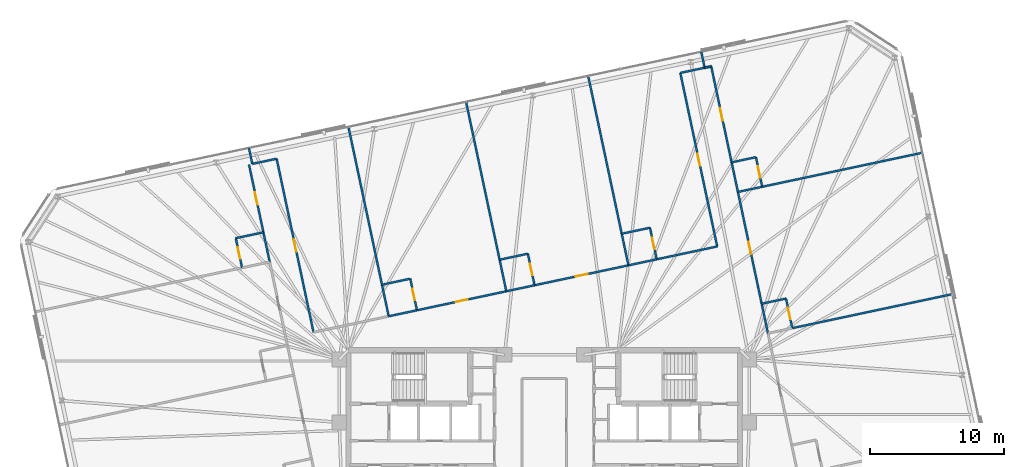
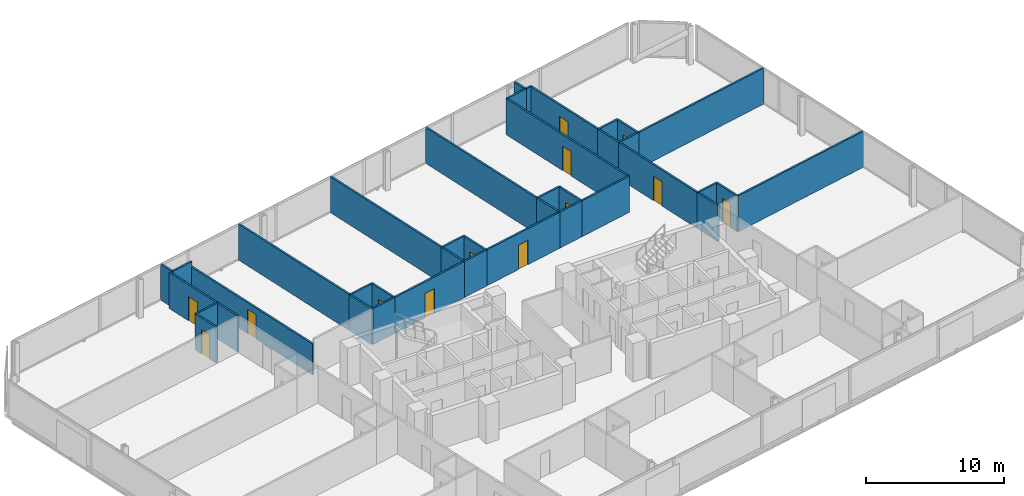
# One storey, part 17 of 19: 40 walls, 13 doors, 13 openings.
"""IFC4 building model written with IfcOpenShell, lengths in metres."""

import ifcopenshell
import ifcopenshell.guid

model = None  # the IFC model being written
_history = None  # IfcOwnerHistory: only IFC2X3 demands one
_inside = {}  # id of a spatial element -> (the spatial element, [elements in it])
_under = {}  # id of a project, library or spatial element -> (it, [spatial elements below it])
_declared = {}  # id of a project -> (the project, [libraries it declares])
_typed = {}  # id of a type object -> (the type object, [elements of that type])
_made_of = {}  # id of a material, layer set ... -> (it, [elements and type objects made of it])


def new_model(schema):
    """Start an empty IFC model of exactly this schema.

    Asked for "IFC4X3", IfcOpenShell would pick the latest addendum, in which some entities
    have other attributes; the version numbers below select the first issue.
    IFC2X3 requires an IfcOwnerHistory on every rooted entity: one is made here for all.
    """
    global model, _history
    if schema == "IFC4X3":
        model = ifcopenshell.file(schema_version=(4, 3, 0, 0))
    else:
        model = ifcopenshell.file(schema=schema)
    _inside.clear()
    _under.clear()
    _declared.clear()
    _typed.clear()
    _made_of.clear()
    _history = None
    if model.schema == "IFC2X3":
        org = make("IfcOrganization", Name="unknown")
        user = make(
            "IfcPersonAndOrganization",
            ThePerson=make("IfcPerson", FamilyName="unknown"),
            TheOrganization=org,
        )
        app = make(
            "IfcApplication",
            ApplicationDeveloper=org,
            Version="unknown",
            ApplicationFullName="unknown",
            ApplicationIdentifier="unknown",
        )
        _history = make(
            "IfcOwnerHistory",
            OwningUser=user,
            OwningApplication=app,
            ChangeAction="ADDED",
            CreationDate=0,
        )
    return model


def make(cls, **values):
    """One entity of the class cls with the attributes given. An attribute that is None is left unset."""
    return model.create_entity(
        cls, **{name: value for name, value in values.items() if value is not None}
    )


def rooted(cls, **values):
    """An entity with a GlobalId (a new one), such as an element, a storey or a relation."""
    return make(cls, GlobalId=ifcopenshell.guid.new(), OwnerHistory=_history, **values)


def si_unit(unit_type, name, prefix=None):
    """IfcSIUnit, for example si_unit("LENGTHUNIT", "METRE", prefix="MILLI")."""
    return make("IfcSIUnit", UnitType=unit_type, Prefix=prefix, Name=name)


def assignment(units):
    """IfcUnitAssignment: the units of a project."""
    return None if units is None else make("IfcUnitAssignment", Units=units)


def point(xyz):
    """IfcCartesianPoint."""
    return None if xyz is None else make("IfcCartesianPoint", Coordinates=xyz)


def direction(xyz):
    """IfcDirection."""
    return None if xyz is None else make("IfcDirection", DirectionRatios=xyz)


def frame(location, z_axis=None, x_axis=None):
    """IfcAxis2Placement3D, a coordinate frame: its origin and axes. An axis left out is left unset."""
    return make(
        "IfcAxis2Placement3D",
        Location=point(location),
        Axis=direction(z_axis),
        RefDirection=direction(x_axis),
    )


def frame_2d(location, x_axis=None):
    """IfcAxis2Placement2D, a coordinate frame in the plane: its origin and x axis."""
    return make(
        "IfcAxis2Placement2D", Location=point(location), RefDirection=direction(x_axis)
    )


def origin():
    """The frame at (0, 0, 0) with its axes left unset."""
    return frame((0.0, 0.0, 0.0))


def place(relative_to, where):
    """IfcLocalPlacement: puts the frame where relative to a parent placement (None: the world)."""
    return make(
        "IfcLocalPlacement", PlacementRelTo=relative_to, RelativePlacement=where
    )


def context(
    kind, dimensions, precision=None, world=None, true_north=None, identifier=None
):
    """IfcGeometricRepresentationContext, for example the 3D "Model" context."""
    return make(
        "IfcGeometricRepresentationContext",
        ContextIdentifier=identifier,
        ContextType=kind,
        CoordinateSpaceDimension=dimensions,
        Precision=precision,
        WorldCoordinateSystem=world,
        TrueNorth=true_north,
    )


def subcontext(parent, identifier, kind, view, scale=None):
    """IfcGeometricRepresentationSubContext, for example "Body" below "Model"."""
    return make(
        "IfcGeometricRepresentationSubContext",
        ContextIdentifier=identifier,
        ContextType=kind,
        ParentContext=parent,
        TargetScale=scale,
        TargetView=view,
    )


def project(units=None, contexts=None):
    """IfcProject with its units and contexts."""
    return rooted(
        "IfcProject",
        Name="project",
        RepresentationContexts=contexts,
        UnitsInContext=assignment(units),
    )


def spatial(cls, under=None, at=None, **own):
    """A site, building, storey or space (cls), placed at a placement, below another one or the project."""
    s = rooted(cls, ObjectPlacement=at, **own)
    if under is not None:
        _under.setdefault(under.id(), (under, []))[1].append(s)
    return s


def profile(cls, at=None, kind="AREA", **sizes):
    """A parametric profile (cls). Its sizes go by their IFC names, for example OverallWidth=200.0."""
    return make(cls, ProfileType=kind, Position=at, **sizes)


def rectangle(**sizes):
    """IfcRectangleProfileDef."""
    return profile("IfcRectangleProfileDef", **sizes)


def extrude(swept, where, along, depth):
    """IfcExtrudedAreaSolid: the profile swept, set in the frame where, extruded along a direction by depth."""
    return make(
        "IfcExtrudedAreaSolid",
        SweptArea=swept,
        Position=where,
        ExtrudedDirection=direction(along),
        Depth=depth,
    )


def shape(context_of_items, identifier, shape_type, items):
    """IfcShapeRepresentation: the items that make up one representation, for example the "Body"."""
    return make(
        "IfcShapeRepresentation",
        ContextOfItems=context_of_items,
        RepresentationIdentifier=identifier,
        RepresentationType=shape_type,
        Items=items,
    )


def material(Name=None, Category=None):
    """IfcMaterial."""
    return make("IfcMaterial", Name=Name, Category=Category)


def layer(
    of_material, thickness, ventilated=None, Name=None, Category=None, Priority=None
):
    """IfcMaterialLayer: one layer of a wall or slab, of a material (None: an air gap)."""
    return make(
        "IfcMaterialLayer",
        Material=of_material,
        LayerThickness=thickness,
        IsVentilated=ventilated,
        Name=Name,
        Category=Category,
        Priority=Priority,
    )


def layer_set(layers, Name=None):
    """IfcMaterialLayerSet."""
    return make("IfcMaterialLayerSet", MaterialLayers=layers, LayerSetName=Name)


def made_of(thing, what):
    """Note that an element or type object is made of a material, layer set ...; save() writes the relation."""
    if what is not None:
        _made_of.setdefault(what.id(), (what, []))[1].append(thing)
    return thing


def type_object(cls, material=None, **own):
    """A type object (cls), such as IfcWallType, which elements share."""
    return made_of(rooted(cls, **own), material)


def element(
    cls,
    number,
    at=None,
    inside=None,
    cuts=None,
    type_object=None,
    material=None,
    context=None,
    identifier="Body",
    shape_type=None,
    held_by="IfcProductDefinitionShape",
    body=None,
    shapes=None,
    **own,
):
    """One element of the class cls, such as IfcWall. Its Tag is "e" and its number.

    at: its placement. inside: the storey or other place that contains it. cuts: it is an
    opening in that element (IfcRelVoidsElement). A single representation is given by context,
    identifier, shape_type and body (its items); several are given by shapes. held_by: the class
    of the entity that holds the representations. save() writes the other relations.
    """
    e = rooted(cls, Tag="e%d" % number, ObjectPlacement=at, **own)
    if body is not None:
        shapes = [shape(context, identifier, shape_type, body)]
    if shapes is not None:
        e.Representation = make(held_by, Representations=shapes)
    if inside is not None:
        _inside.setdefault(inside.id(), (inside, []))[1].append(e)
    if cuts is not None:
        rooted(
            "IfcRelVoidsElement", RelatingBuildingElement=cuts, RelatedOpeningElement=e
        )
    if type_object is not None:
        _typed.setdefault(type_object.id(), (type_object, []))[1].append(e)
    return made_of(e, material)


def fill(opening, filler):
    """IfcRelFillsElement: the door or window that sits in an opening."""
    return rooted(
        "IfcRelFillsElement",
        RelatingOpeningElement=opening,
        RelatedBuildingElement=filler,
    )


def aggregate(whole, parts):
    """IfcRelAggregates: a whole, such as a stair, and the parts it consists of."""
    return rooted("IfcRelAggregates", RelatingObject=whole, RelatedObjects=parts)


def save(model, path):
    """Write the relations noted so far, then the file.

    IfcRelAggregates (storeys below a building ...), IfcRelContainedInSpatialStructure (elements
    in a storey), IfcRelDefinesByType, IfcRelAssociatesMaterial and IfcRelDeclares: one each for
    every whole, place, type object, material and project.
    """
    for whole, parts in _under.values():
        aggregate(whole, parts)
    for where, things in _inside.values():
        rooted(
            "IfcRelContainedInSpatialStructure",
            RelatedElements=things,
            RelatingStructure=where,
        )
    for kind, things in _typed.values():
        rooted("IfcRelDefinesByType", RelatedObjects=things, RelatingType=kind)
    for what, things in _made_of.values():
        rooted("IfcRelAssociatesMaterial", RelatedObjects=things, RelatingMaterial=what)
    for by, libraries in _declared.values():
        rooted("IfcRelDeclares", RelatingContext=by, RelatedDefinitions=libraries)
    model.write(path)


model = new_model("IFC4")

# Units and contexts
model_context = context("Model", 3, precision=1e-05, world=origin(), true_north=direction((0.0, 1.0)))
body_context = subcontext(model_context, "Body", "Model", "MODEL_VIEW")
ifc_project = project(units=[si_unit("LENGTHUNIT", "METRE"), si_unit("AREAUNIT", "SQUARE_METRE"), si_unit("VOLUMEUNIT", "CUBIC_METRE"), si_unit("PLANEANGLEUNIT", "RADIAN"), si_unit("MASSUNIT", "GRAM", prefix="KILO")], contexts=[model_context])

# Site, building, storey
site_placement = place(None, origin())
site = spatial("IfcSite", under=ifc_project, at=site_placement, CompositionType="ELEMENT")
building_placement = place(site_placement, origin())
building = spatial("IfcBuilding", under=site, at=building_placement, Name="Menara Jurai Vektor", CompositionType="ELEMENT")
storey_placement = place(building_placement, frame((0.0, 0.0, 161.60009765625)))
storey = spatial("IfcBuildingStorey", under=building, at=storey_placement, Name="L41", CompositionType="ELEMENT", Elevation=161.60009765625)

# Wall
ifc_material_1 = material(Name="Gypsum Fireboard Partition", Category="gypsum")
ifc_layer_1 = layer(ifc_material_1, 0.14990234375)
ifc_layer_set_1 = layer_set([ifc_layer_1], Name="Gypsum Fireboard Partition")
wall_type_1 = type_object("IfcWallType", Name="INT-WALL-CORR-150", PredefinedType="PARTITIONING", material=ifc_layer_set_1)
wall_1_placement = place(storey_placement, frame((-21.71533203125, 19.447998046875, 0.0), z_axis=(0.0, 0.0, 1.0), x_axis=(0.978160192495, 0.207852442415, 0.0)))
element("IfcWall", 1, at=wall_1_placement, inside=storey, type_object=wall_type_1, Name="Interior Wall IW-150 L41", PredefinedType="PARTITIONING", context=body_context, shape_type="SweptSolid", body=[
    extrude(rectangle(XDim=1.849853515625, YDim=0.14990234375, at=frame_2d((0.9248046875, 0.0))), origin(), (0.0, 0.0, 1.0), 3.1748046875),
])

# Wall, opening, door
wall_2_placement = place(storey_placement, frame((-9.46728515625, 8.5615234375, 0.0), z_axis=(0.0, 0.0, 1.0), x_axis=(0.978147157672, 0.207913775247, 0.0)))
wall_2 = element("IfcWall", 2, at=wall_2_placement, inside=storey, type_object=wall_type_1, Name="Interior Wall IW-150 L41", PredefinedType="PARTITIONING", context=body_context, shape_type="SweptSolid", body=[
    extrude(rectangle(XDim=6.79296875, YDim=0.14990234375, at=frame_2d((3.396484375, 0.0))), origin(), (0.0, 0.0, 1.0), 3.1748046875),
])
opening_1_placement = place(wall_2_placement, frame((2.9365234375, 0.0, 0.0)))
opening_1 = element("IfcOpeningElement", 3, at=opening_1_placement, cuts=wall_2, Name="Opening D41-10", PredefinedType="OPENING", context=body_context, shape_type="SweptSolid", body=[
    extrude(rectangle(XDim=0.919921875, YDim=2.14990234375, at=frame_2d((0.4599609375, 1.074951171875))), frame((0.0, 0.0849609375, 0.0), z_axis=(0.0, -1.0, 0.0), x_axis=(1.0, 0.0, 0.0)), (0.0, 0.0, 1.0), 0.169921875),
])
ifc_material_2 = material(Name="Solid Core Timber Fire Door", Category="wood")
door_type_1 = type_object("IfcDoorType", Name="DR-ENTRY-950", OperationType="NOTDEFINED", PredefinedType="DOOR", material=ifc_material_2)
door_1_placement = place(opening_1_placement, origin())
door_1 = element("IfcDoor", 4, at=door_1_placement, inside=storey, type_object=door_type_1, Name="Interior Door D41-10", OperationType="SINGLE_SWING_LEFT", OverallHeight=2.14990234375, OverallWidth=0.919921875, PredefinedType="DOOR", context=body_context, shape_type="SweptSolid", body=[
    extrude(rectangle(XDim=0.919921875, YDim=2.14990234375, at=frame_2d((0.4599609375, 1.074951171875))), frame((0.0, 0.02490234375, 0.0), z_axis=(0.0, -1.0, 0.0), x_axis=(1.0, 0.0, 0.0)), (0.0, 0.0, 1.0), 0.050048828125),
])
fill(opening_1, door_1)

# Wall
wall_3_placement = place(storey_placement, frame((-11.5703125, 8.114501953125, 0.0), z_axis=(0.0, 0.0, 1.0), x_axis=(0.978146728319, 0.207915795165, 0.0)))
element("IfcWall", 5, at=wall_3_placement, inside=storey, type_object=wall_type_1, Name="Interior Wall IW-150 L41", PredefinedType="PARTITIONING", context=body_context, shape_type="SweptSolid", body=[
    extrude(rectangle(XDim=2.14990234375, YDim=0.14990234375, at=frame_2d((1.074951171875, 0.0))), origin(), (0.0, 0.0, 1.0), 3.1748046875),
])

# Wall, opening, door
wall_4_placement = place(storey_placement, frame((-0.7197265625, 10.4208984375, 0.0), z_axis=(0.0, 0.0, 1.0), x_axis=(0.978147545754, 0.207911949477, 0.0)))
wall_4 = element("IfcWall", 6, at=wall_4_placement, inside=storey, type_object=wall_type_1, Name="Interior Wall IW-150 L41", PredefinedType="PARTITIONING", context=body_context, shape_type="SweptSolid", body=[
    extrude(rectangle(XDim=7.135986328125, YDim=0.14990234375, at=frame_2d((3.56787109375, 0.0))), origin(), (0.0, 0.0, 1.0), 3.1748046875),
])
opening_2_placement = place(wall_4_placement, frame((3.10791015625, 0.0, 0.0)))
opening_2 = element("IfcOpeningElement", 7, at=opening_2_placement, cuts=wall_4, Name="Opening D41-12", PredefinedType="OPENING", context=body_context, shape_type="SweptSolid", body=[
    extrude(rectangle(XDim=0.919921875, YDim=2.14990234375, at=frame_2d((0.4599609375, 1.074951171875))), frame((0.0, 0.0849609375, 0.0), z_axis=(0.0, -1.0, 0.0), x_axis=(1.0, 0.0, 0.0)), (0.0, 0.0, 1.0), 0.169921875),
])
door_2_placement = place(opening_2_placement, origin())
door_2 = element("IfcDoor", 8, at=door_2_placement, inside=storey, type_object=door_type_1, Name="Interior Door D41-12", OperationType="SINGLE_SWING_LEFT", OverallHeight=2.14990234375, OverallWidth=0.919921875, PredefinedType="DOOR", context=body_context, shape_type="SweptSolid", body=[
    extrude(rectangle(XDim=0.919921875, YDim=2.14990234375, at=frame_2d((0.4599609375, 1.074951171875))), frame((0.0, 0.02490234375, 0.0), z_axis=(0.0, -1.0, 0.0), x_axis=(1.0, 0.0, 0.0)), (0.0, 0.0, 1.0), 0.050048828125),
])
fill(opening_2, door_2)

# Walls
wall_5_placement = place(storey_placement, frame((-2.82275390625, 9.973876953125, 0.0), z_axis=(0.0, 0.0, 1.0), x_axis=(0.978146728319, 0.207915795165, 0.0)))
element("IfcWall", 9, at=wall_5_placement, inside=storey, type_object=wall_type_1, Name="Interior Wall IW-150 L41", PredefinedType="PARTITIONING", context=body_context, shape_type="SweptSolid", body=[
    extrude(rectangle(XDim=2.14990234375, YDim=0.14990234375, at=frame_2d((1.074951171875, 0.0))), origin(), (0.0, 0.0, 1.0), 3.1748046875),
])
wall_6_placement = place(storey_placement, frame((8.36328125, 12.3515625, 0.0), z_axis=(0.0, 0.0, 1.0), x_axis=(0.978153723809, 0.20788288193, 0.0)))
element("IfcWall", 10, at=wall_6_placement, inside=storey, type_object=wall_type_1, Name="Interior Wall IW-150 L41", PredefinedType="PARTITIONING", context=body_context, shape_type="SweptSolid", body=[
    extrude(rectangle(XDim=4.59912109375, YDim=0.14990234375, at=frame_2d((2.299560546875, 0.0))), origin(), (0.0, 0.0, 1.0), 3.1748046875),
])

# Wall, opening, door
wall_7_placement = place(storey_placement, frame((12.86181640625, 13.3076171875, 0.0), z_axis=(0.0, 0.0, 1.0), x_axis=(-0.207911421929, 0.978147657888, 0.0)))
wall_7 = element("IfcWall", 11, at=wall_7_placement, inside=storey, type_object=wall_type_1, Name="Interior Wall IW-150 L41", PredefinedType="PARTITIONING", context=body_context, shape_type="SweptSolid", body=[
    extrude(rectangle(XDim=13.195068359375, YDim=0.14990234375, at=frame_2d((6.59765625, 0.0))), origin(), (0.0, 0.0, 1.0), 3.1748046875),
])
opening_3_placement = place(wall_7_placement, frame((6.137451171875, 0.0, 0.0)))
opening_3 = element("IfcOpeningElement", 12, at=opening_3_placement, cuts=wall_7, Name="Opening D41-14", PredefinedType="OPENING", context=body_context, shape_type="SweptSolid", body=[
    extrude(rectangle(XDim=0.919921875, YDim=2.14990234375, at=frame_2d((0.4599609375, 1.074951171875))), frame((0.0, 0.0849609375, 0.0), z_axis=(0.0, -1.0, 0.0), x_axis=(1.0, 0.0, 0.0)), (0.0, 0.0, 1.0), 0.169921875),
])
door_3_placement = place(opening_3_placement, origin())
door_3 = element("IfcDoor", 13, at=door_3_placement, inside=storey, type_object=door_type_1, Name="Interior Door D41-14", OperationType="SINGLE_SWING_LEFT", OverallHeight=2.14990234375, OverallWidth=0.919921875, PredefinedType="DOOR", context=body_context, shape_type="SweptSolid", body=[
    extrude(rectangle(XDim=0.919921875, YDim=2.14990234375, at=frame_2d((0.4599609375, 1.074951171875))), frame((0.0, 0.02490234375, 0.0), z_axis=(0.0, -1.0, 0.0), x_axis=(1.0, 0.0, 0.0)), (0.0, 0.0, 1.0), 0.050048828125),
])
fill(opening_3, door_3)

# Walls
wall_8_placement = place(storey_placement, frame((10.118408203125, 26.21435546875, 0.0), z_axis=(0.0, 0.0, 1.0), x_axis=(0.978133353907, 0.20797870558, 0.0)))
element("IfcWall", 14, at=wall_8_placement, inside=storey, type_object=wall_type_1, Name="Interior Wall IW-150 L41", PredefinedType="PARTITIONING", context=body_context, shape_type="SweptSolid", body=[
    extrude(rectangle(XDim=1.85009765625, YDim=0.14990234375, at=frame_2d((0.925048828125, 0.0))), origin(), (0.0, 0.0, 1.0), 3.1748046875),
])
wall_9_placement = place(storey_placement, frame((6.26025390625, 11.904541015625, 0.0), z_axis=(0.0, 0.0, 1.0), x_axis=(0.978146728319, 0.207915795165, 0.0)))
element("IfcWall", 15, at=wall_9_placement, inside=storey, type_object=wall_type_1, Name="Interior Wall IW-150 L41", PredefinedType="PARTITIONING", context=body_context, shape_type="SweptSolid", body=[
    extrude(rectangle(XDim=2.14990234375, YDim=0.14990234375, at=frame_2d((1.074951171875, 0.0))), origin(), (0.0, 0.0, 1.0), 3.1748046875),
])

# Wall, opening, door
wall_10_placement = place(storey_placement, frame((-20.88916015625, 14.3583984375, 0.0), z_axis=(0.0, 0.0, 1.0), x_axis=(-0.207916584961, 0.978146560439, 0.0)))
wall_10 = element("IfcWall", 16, at=wall_10_placement, inside=storey, type_object=wall_type_1, Name="Interior Wall IW-150 L41", PredefinedType="PARTITIONING", context=body_context, shape_type="SweptSolid", body=[
    extrude(rectangle(XDim=5.150146484375, YDim=0.14990234375, at=frame_2d((2.5751953125, 0.0))), origin(), (0.0, 0.0, 1.0), 3.1748046875),
])
opening_4_placement = place(wall_10_placement, frame((2.10009765625, 0.0, 0.0)))
opening_4 = element("IfcOpeningElement", 17, at=opening_4_placement, cuts=wall_10, Name="Opening D41-29", PredefinedType="OPENING", context=body_context, shape_type="SweptSolid", body=[
    extrude(rectangle(XDim=0.949951171875, YDim=2.14990234375, at=frame_2d((0.47509765625, 1.074951171875))), frame((0.0, 0.0849609375, 0.0), z_axis=(0.0, -1.0, 0.0), x_axis=(1.0, 0.0, 0.0)), (0.0, 0.0, 1.0), 0.169921875),
])
door_4_placement = place(opening_4_placement, origin())
door_4 = element("IfcDoor", 18, at=door_4_placement, inside=storey, type_object=door_type_1, Name="Interior Door D41-29", OperationType="SINGLE_SWING_RIGHT", OverallHeight=2.14990234375, OverallWidth=0.949951171875, PredefinedType="DOOR", context=body_context, shape_type="SweptSolid", body=[
    extrude(rectangle(XDim=0.949951171875, YDim=2.14990234375, at=frame_2d((0.47509765625, 1.074951171875))), frame((0.0, 0.02490234375, 0.0), z_axis=(0.0, -1.0, 0.0), x_axis=(1.0, 0.0, 0.0)), (0.0, 0.0, 1.0), 0.050048828125),
])
fill(opening_4, door_4)

# Wall
wall_11_placement = place(storey_placement, frame((-20.42138671875, 12.15771484375, 0.0), z_axis=(0.0, 0.0, 1.0), x_axis=(-0.207913264065, 0.978147266328, 0.0)))
element("IfcWall", 19, at=wall_11_placement, inside=storey, type_object=wall_type_1, Name="Interior Wall IW-150 L41", PredefinedType="PARTITIONING", context=body_context, shape_type="SweptSolid", body=[
    extrude(rectangle(XDim=2.249755859375, YDim=0.14990234375, at=frame_2d((1.125, 0.0))), origin(), (0.0, 0.0, 1.0), 3.1748046875),
])

# Wall, opening, door
wall_12_placement = place(storey_placement, frame((16.169921875, 9.04736328125, 0.0), z_axis=(0.0, 0.0, 1.0), x_axis=(-0.2079164651, 0.978146585917, 0.0)))
wall_12 = element("IfcWall", 20, at=wall_12_placement, inside=storey, type_object=wall_type_1, Name="Interior Wall IW-150 L41", PredefinedType="PARTITIONING", context=body_context, shape_type="SweptSolid", body=[
    extrude(rectangle(XDim=8.500244140625, YDim=0.14990234375, at=frame_2d((4.25, 0.0))), origin(), (0.0, 0.0, 1.0), 3.1748046875),
])
opening_5_placement = place(wall_12_placement, frame((3.77490234375, 0.0, 0.0)))
opening_5 = element("IfcOpeningElement", 21, at=opening_5_placement, cuts=wall_12, Name="Opening D41-35", PredefinedType="OPENING", context=body_context, shape_type="SweptSolid", body=[
    extrude(rectangle(XDim=0.949951171875, YDim=2.14990234375, at=frame_2d((0.47509765625, 1.074951171875))), frame((0.0, 0.0849609375, 0.0), z_axis=(0.0, -1.0, 0.0), x_axis=(1.0, 0.0, 0.0)), (0.0, 0.0, 1.0), 0.169921875),
])
door_5_placement = place(opening_5_placement, origin())
door_5 = element("IfcDoor", 22, at=door_5_placement, inside=storey, type_object=door_type_1, Name="Interior Door D41-35", OperationType="SINGLE_SWING_RIGHT", OverallHeight=2.14990234375, OverallWidth=0.949951171875, PredefinedType="DOOR", context=body_context, shape_type="SweptSolid", body=[
    extrude(rectangle(XDim=0.949951171875, YDim=2.14990234375, at=frame_2d((0.47509765625, 1.074951171875))), frame((0.0, 0.02490234375, 0.0), z_axis=(0.0, -1.0, 0.0), x_axis=(1.0, 0.0, 0.0)), (0.0, 0.0, 1.0), 0.050048828125),
])
fill(opening_5, door_5)

# Walls
wall_13_placement = place(storey_placement, frame((16.6376953125, 6.8466796875, 0.0), z_axis=(0.0, 0.0, 1.0), x_axis=(-0.207913264065, 0.978147266328, 0.0)))
element("IfcWall", 23, at=wall_13_placement, inside=storey, type_object=wall_type_1, Name="Interior Wall IW-150 L41", PredefinedType="PARTITIONING", context=body_context, shape_type="SweptSolid", body=[
    extrude(rectangle(XDim=2.249755859375, YDim=0.14990234375, at=frame_2d((1.125, 0.0))), origin(), (0.0, 0.0, 1.0), 3.1748046875),
])
wall_14_placement = place(storey_placement, frame((11.927978515625, 26.59912109375, 0.0), z_axis=(0.0, 0.0, 1.0), x_axis=(0.97822210712, 0.207560856478, 0.0)))
element("IfcWall", 24, at=wall_14_placement, inside=storey, type_object=wall_type_1, Name="Interior Wall IW-150 L41", PredefinedType="PARTITIONING", context=body_context, shape_type="SweptSolid", body=[
    extrude(rectangle(XDim=0.5, YDim=0.14990234375, at=frame_2d((0.25, 0.0))), origin(), (0.0, 0.0, 1.0), 3.1748046875),
])

# Wall, opening, door
wall_15_placement = place(storey_placement, frame((13.934814453125, 19.5625, 0.0), z_axis=(0.0, 0.0, 1.0), x_axis=(-0.207923154003, 0.978145164088, 0.0)))
wall_15 = element("IfcWall", 25, at=wall_15_placement, inside=storey, type_object=wall_type_1, Name="Interior Wall IW-150 L41", PredefinedType="PARTITIONING", context=body_context, shape_type="SweptSolid", body=[
    extrude(rectangle(XDim=7.2998046875, YDim=0.14990234375, at=frame_2d((3.64990234375, 0.0))), origin(), (0.0, 0.0, 1.0), 3.1748046875),
])
opening_6_placement = place(wall_15_placement, frame((3.175048828125, 0.0, 0.0)))
opening_6 = element("IfcOpeningElement", 26, at=opening_6_placement, cuts=wall_15, Name="Opening D41-37", PredefinedType="OPENING", context=body_context, shape_type="SweptSolid", body=[
    extrude(rectangle(XDim=0.949951171875, YDim=2.14990234375, at=frame_2d((0.47509765625, 1.074951171875))), frame((0.0, 0.0849609375, 0.0), z_axis=(0.0, -1.0, 0.0), x_axis=(1.0, 0.0, 0.0)), (0.0, 0.0, 1.0), 0.169921875),
])
door_6_placement = place(opening_6_placement, origin())
door_6 = element("IfcDoor", 27, at=door_6_placement, inside=storey, type_object=door_type_1, Name="Interior Door D41-37", OperationType="SINGLE_SWING_RIGHT", OverallHeight=2.14990234375, OverallWidth=0.949951171875, PredefinedType="DOOR", context=body_context, shape_type="SweptSolid", body=[
    extrude(rectangle(XDim=0.949951171875, YDim=2.14990234375, at=frame_2d((0.47509765625, 1.074951171875))), frame((0.0, 0.02490234375, 0.0), z_axis=(0.0, -1.0, 0.0), x_axis=(1.0, 0.0, 0.0)), (0.0, 0.0, 1.0), 0.050048828125),
])
fill(opening_6, door_6)

# Walls
wall_16_placement = place(storey_placement, frame((14.402587890625, 17.36181640625, 0.0), z_axis=(0.0, 0.0, 1.0), x_axis=(-0.207913264065, 0.978147266328, 0.0)))
element("IfcWall", 28, at=wall_16_placement, inside=storey, type_object=wall_type_1, Name="Interior Wall IW-150 L41", PredefinedType="PARTITIONING", context=body_context, shape_type="SweptSolid", body=[
    extrude(rectangle(XDim=2.249755859375, YDim=0.14990234375, at=frame_2d((1.125, 0.0))), origin(), (0.0, 0.0, 1.0), 3.1748046875),
])
wall_17_placement = place(storey_placement, frame((-12.0693359375, 10.462158203125, 0.0), z_axis=(0.0, 0.0, 1.0), x_axis=(-0.207914988081, 0.978146899873, 0.0)))
element("IfcWall", 29, at=wall_17_placement, inside=storey, type_object=wall_type_1, Name="Interior Wall IW-150 L41", PredefinedType="PARTITIONING", context=body_context, shape_type="SweptSolid", body=[
    extrude(rectangle(XDim=11.994873046875, YDim=0.14990234375, at=frame_2d((5.99755859375, 0.0))), origin(), (0.0, 0.0, 1.0), 3.1748046875),
])
wall_18_placement = place(storey_placement, frame((-11.5703125, 8.114501953125, 0.0), z_axis=(0.0, 0.0, 1.0), x_axis=(-0.207917150959, 0.978146440129, 0.0)))
element("IfcWall", 30, at=wall_18_placement, inside=storey, type_object=wall_type_1, Name="Interior Wall IW-150 L41", PredefinedType="PARTITIONING", context=body_context, shape_type="SweptSolid", body=[
    extrude(rectangle(XDim=2.400146484375, YDim=0.14990234375, at=frame_2d((1.2001953125, 0.0))), origin(), (0.0, 0.0, 1.0), 3.1748046875),
])
wall_19_placement = place(storey_placement, frame((-21.71533203125, 19.447998046875, 0.0), z_axis=(0.0, 0.0, 1.0), x_axis=(-0.20795853359, 0.978137642823, 0.0)))
element("IfcWall", 31, at=wall_19_placement, inside=storey, type_object=wall_type_1, Name="Interior Wall IW-150 L41", PredefinedType="PARTITIONING", context=body_context, shape_type="SweptSolid", body=[
    extrude(rectangle(XDim=1.19970703125, YDim=0.14990234375, at=frame_2d((0.599853515625, 0.0))), origin(), (0.0, 0.0, 1.0), 3.1748046875),
])
wall_20_placement = place(storey_placement, frame((-12.0693359375, 10.462158203125, 0.0), z_axis=(0.0, 0.0, 1.0), x_axis=(0.978146728319, 0.207915795165, 0.0)))
element("IfcWall", 32, at=wall_20_placement, inside=storey, type_object=wall_type_1, Name="Interior Wall IW-150 L41", PredefinedType="PARTITIONING", context=body_context, shape_type="SweptSolid", body=[
    extrude(rectangle(XDim=2.14990234375, YDim=0.14990234375, at=frame_2d((1.074951171875, 0.0))), origin(), (0.0, 0.0, 1.0), 3.1748046875),
])

# Wall, opening, door
wall_21_placement = place(storey_placement, frame((-9.46728515625, 8.5615234375, 0.0), z_axis=(0.0, 0.0, 1.0), x_axis=(-0.207917150959, 0.978146440129, 0.0)))
wall_21 = element("IfcWall", 33, at=wall_21_placement, inside=storey, type_object=wall_type_1, Name="Interior Wall IW-150 L41", PredefinedType="PARTITIONING", context=body_context, shape_type="SweptSolid", body=[
    extrude(rectangle(XDim=2.400146484375, YDim=0.14990234375, at=frame_2d((1.2001953125, 0.0))), origin(), (0.0, 0.0, 1.0), 3.1748046875),
])
opening_7_placement = place(wall_21_placement, frame((0.760009765625, 0.0, 0.0)))
opening_7 = element("IfcOpeningElement", 34, at=opening_7_placement, cuts=wall_21, Name="Opening D41-11", PredefinedType="OPENING", context=body_context, shape_type="SweptSolid", body=[
    extrude(rectangle(XDim=0.8798828125, YDim=2.14990234375, at=frame_2d((0.43994140625, 1.074951171875))), frame((0.0, 0.0849609375, 0.0), z_axis=(0.0, -1.0, 0.0), x_axis=(1.0, 0.0, 0.0)), (0.0, 0.0, 1.0), 0.169921875),
])
ifc_material_3 = material(Name="Moisture-Resistant Timber Door", Category="wood")
door_type_2 = type_object("IfcDoorType", Name="DR-BATH-880", OperationType="NOTDEFINED", PredefinedType="DOOR", material=ifc_material_3)
door_7_placement = place(opening_7_placement, origin())
door_7 = element("IfcDoor", 35, at=door_7_placement, inside=storey, type_object=door_type_2, Name="Interior Door D41-11", OperationType="SINGLE_SWING_RIGHT", OverallHeight=2.14990234375, OverallWidth=0.8798828125, PredefinedType="DOOR", context=body_context, shape_type="SweptSolid", body=[
    extrude(rectangle(XDim=0.8798828125, YDim=2.14990234375, at=frame_2d((0.43994140625, 1.074951171875))), frame((0.0, 0.02490234375, 0.0), z_axis=(0.0, -1.0, 0.0), x_axis=(1.0, 0.0, 0.0)), (0.0, 0.0, 1.0), 0.050048828125),
])
fill(opening_7, door_7)

# Walls
wall_22_placement = place(storey_placement, frame((-3.32177734375, 12.3212890625, 0.0), z_axis=(0.0, 0.0, 1.0), x_axis=(-0.207910848762, 0.978147779718, 0.0)))
element("IfcWall", 36, at=wall_22_placement, inside=storey, type_object=wall_type_1, Name="Interior Wall IW-150 L41", PredefinedType="PARTITIONING", context=body_context, shape_type="SweptSolid", body=[
    extrude(rectangle(XDim=11.9951171875, YDim=0.14990234375, at=frame_2d((5.99755859375, 0.0))), origin(), (0.0, 0.0, 1.0), 3.1748046875),
])
wall_23_placement = place(storey_placement, frame((-2.82275390625, 9.973876953125, 0.0), z_axis=(0.0, 0.0, 1.0), x_axis=(-0.207937840262, 0.978142042133, 0.0)))
element("IfcWall", 37, at=wall_23_placement, inside=storey, type_object=wall_type_1, Name="Interior Wall IW-150 L41", PredefinedType="PARTITIONING", context=body_context, shape_type="SweptSolid", body=[
    extrude(rectangle(XDim=2.39990234375, YDim=0.14990234375, at=frame_2d((1.199951171875, 0.0))), origin(), (0.0, 0.0, 1.0), 3.1748046875),
])
wall_24_placement = place(storey_placement, frame((-3.32177734375, 12.3212890625, 0.0), z_axis=(0.0, 0.0, 1.0), x_axis=(0.978146728319, 0.207915795165, 0.0)))
element("IfcWall", 38, at=wall_24_placement, inside=storey, type_object=wall_type_1, Name="Interior Wall IW-150 L41", PredefinedType="PARTITIONING", context=body_context, shape_type="SweptSolid", body=[
    extrude(rectangle(XDim=2.14990234375, YDim=0.14990234375, at=frame_2d((1.074951171875, 0.0))), origin(), (0.0, 0.0, 1.0), 3.1748046875),
])

# Wall, opening, door
wall_25_placement = place(storey_placement, frame((-0.7197265625, 10.4208984375, 0.0), z_axis=(0.0, 0.0, 1.0), x_axis=(-0.207937840262, 0.978142042133, 0.0)))
wall_25 = element("IfcWall", 39, at=wall_25_placement, inside=storey, type_object=wall_type_1, Name="Interior Wall IW-150 L41", PredefinedType="PARTITIONING", context=body_context, shape_type="SweptSolid", body=[
    extrude(rectangle(XDim=2.39990234375, YDim=0.14990234375, at=frame_2d((1.199951171875, 0.0))), origin(), (0.0, 0.0, 1.0), 3.1748046875),
])
opening_8_placement = place(wall_25_placement, frame((0.760009765625, 0.0, 0.0)))
opening_8 = element("IfcOpeningElement", 40, at=opening_8_placement, cuts=wall_25, Name="Opening D41-13", PredefinedType="OPENING", context=body_context, shape_type="SweptSolid", body=[
    extrude(rectangle(XDim=0.8798828125, YDim=2.14990234375, at=frame_2d((0.43994140625, 1.074951171875))), frame((0.0, 0.0849609375, 0.0), z_axis=(0.0, -1.0, 0.0), x_axis=(1.0, 0.0, 0.0)), (0.0, 0.0, 1.0), 0.169921875),
])
door_8_placement = place(opening_8_placement, origin())
door_8 = element("IfcDoor", 41, at=door_8_placement, inside=storey, type_object=door_type_2, Name="Interior Door D41-13", OperationType="SINGLE_SWING_RIGHT", OverallHeight=2.14990234375, OverallWidth=0.8798828125, PredefinedType="DOOR", context=body_context, shape_type="SweptSolid", body=[
    extrude(rectangle(XDim=0.8798828125, YDim=2.14990234375, at=frame_2d((0.43994140625, 1.074951171875))), frame((0.0, 0.02490234375, 0.0), z_axis=(0.0, -1.0, 0.0), x_axis=(1.0, 0.0, 0.0)), (0.0, 0.0, 1.0), 0.050048828125),
])
fill(opening_8, door_8)

# Walls
wall_26_placement = place(storey_placement, frame((5.76123046875, 14.252197265625, 0.0), z_axis=(0.0, 0.0, 1.0), x_axis=(-0.207910848762, 0.978147779718, 0.0)))
element("IfcWall", 42, at=wall_26_placement, inside=storey, type_object=wall_type_1, Name="Interior Wall IW-150 L41", PredefinedType="PARTITIONING", context=body_context, shape_type="SweptSolid", body=[
    extrude(rectangle(XDim=11.9951171875, YDim=0.14990234375, at=frame_2d((5.99755859375, 0.0))), origin(), (0.0, 0.0, 1.0), 3.1748046875),
])
wall_27_placement = place(storey_placement, frame((6.26025390625, 11.904541015625, 0.0), z_axis=(0.0, 0.0, 1.0), x_axis=(-0.207917150959, 0.978146440129, 0.0)))
element("IfcWall", 43, at=wall_27_placement, inside=storey, type_object=wall_type_1, Name="Interior Wall IW-150 L41", PredefinedType="PARTITIONING", context=body_context, shape_type="SweptSolid", body=[
    extrude(rectangle(XDim=2.400146484375, YDim=0.14990234375, at=frame_2d((1.2001953125, 0.0))), origin(), (0.0, 0.0, 1.0), 3.1748046875),
])
wall_28_placement = place(storey_placement, frame((5.76123046875, 14.252197265625, 0.0), z_axis=(0.0, 0.0, 1.0), x_axis=(0.978146728319, 0.207915795165, 0.0)))
element("IfcWall", 44, at=wall_28_placement, inside=storey, type_object=wall_type_1, Name="Interior Wall IW-150 L41", PredefinedType="PARTITIONING", context=body_context, shape_type="SweptSolid", body=[
    extrude(rectangle(XDim=2.14990234375, YDim=0.14990234375, at=frame_2d((1.074951171875, 0.0))), origin(), (0.0, 0.0, 1.0), 3.1748046875),
])

# Wall, opening, door
wall_29_placement = place(storey_placement, frame((8.36328125, 12.3515625, 0.0), z_axis=(0.0, 0.0, 1.0), x_axis=(-0.207917150959, 0.978146440129, 0.0)))
wall_29 = element("IfcWall", 45, at=wall_29_placement, inside=storey, type_object=wall_type_1, Name="Interior Wall IW-150 L41", PredefinedType="PARTITIONING", context=body_context, shape_type="SweptSolid", body=[
    extrude(rectangle(XDim=2.400146484375, YDim=0.14990234375, at=frame_2d((1.2001953125, 0.0))), origin(), (0.0, 0.0, 1.0), 3.1748046875),
])
opening_9_placement = place(wall_29_placement, frame((0.760009765625, 0.0, 0.0)))
opening_9 = element("IfcOpeningElement", 46, at=opening_9_placement, cuts=wall_29, Name="Opening D41-15", PredefinedType="OPENING", context=body_context, shape_type="SweptSolid", body=[
    extrude(rectangle(XDim=0.8798828125, YDim=2.14990234375, at=frame_2d((0.43994140625, 1.074951171875))), frame((0.0, 0.0849609375, 0.0), z_axis=(0.0, -1.0, 0.0), x_axis=(1.0, 0.0, 0.0)), (0.0, 0.0, 1.0), 0.169921875),
])
door_9_placement = place(opening_9_placement, origin())
door_9 = element("IfcDoor", 47, at=door_9_placement, inside=storey, type_object=door_type_2, Name="Interior Door D41-15", OperationType="SINGLE_SWING_RIGHT", OverallHeight=2.14990234375, OverallWidth=0.8798828125, PredefinedType="DOOR", context=body_context, shape_type="SweptSolid", body=[
    extrude(rectangle(XDim=0.8798828125, YDim=2.14990234375, at=frame_2d((0.43994140625, 1.074951171875))), frame((0.0, 0.02490234375, 0.0), z_axis=(0.0, -1.0, 0.0), x_axis=(1.0, 0.0, 0.0)), (0.0, 0.0, 1.0), 0.050048828125),
])
fill(opening_9, door_9)

# Wall
wall_30_placement = place(storey_placement, frame((11.927978515625, 26.59912109375, 0.0), z_axis=(0.0, 0.0, 1.0), x_axis=(-0.20795853359, 0.978137642823, 0.0)))
element("IfcWall", 48, at=wall_30_placement, inside=storey, type_object=wall_type_1, Name="Interior Wall IW-150 L41", PredefinedType="PARTITIONING", context=body_context, shape_type="SweptSolid", body=[
    extrude(rectangle(XDim=1.19970703125, YDim=0.14990234375, at=frame_2d((0.599853515625, 0.0))), origin(), (0.0, 0.0, 1.0), 3.1748046875),
])

# Wall, opening, door
wall_31_placement = place(storey_placement, frame((-22.4755859375, 11.720947265625, 0.0), z_axis=(0.0, 0.0, 1.0), x_axis=(-0.207891197838, 0.978151956427, 0.0)))
wall_31 = element("IfcWall", 49, at=wall_31_placement, inside=storey, type_object=wall_type_1, Name="Interior Wall IW-150 L41", PredefinedType="PARTITIONING", context=body_context, shape_type="SweptSolid", body=[
    extrude(rectangle(XDim=2.25, YDim=0.14990234375, at=frame_2d((1.125, 0.0))), origin(), (0.0, 0.0, 1.0), 3.1748046875),
])
opening_10_placement = place(wall_31_placement, frame((0.68505859375, 0.0, 0.0)))
opening_10 = element("IfcOpeningElement", 50, at=opening_10_placement, cuts=wall_31, Name="Opening D41-30", PredefinedType="OPENING", context=body_context, shape_type="SweptSolid", body=[
    extrude(rectangle(XDim=0.8798828125, YDim=2.14990234375, at=frame_2d((0.43994140625, 1.074951171875))), frame((0.0, 0.0849609375, 0.0), z_axis=(0.0, -1.0, 0.0), x_axis=(1.0, 0.0, 0.0)), (0.0, 0.0, 1.0), 0.169921875),
])
door_10_placement = place(opening_10_placement, origin())
door_10 = element("IfcDoor", 51, at=door_10_placement, inside=storey, type_object=door_type_2, Name="Interior Door D41-30", OperationType="SINGLE_SWING_LEFT", OverallHeight=2.14990234375, OverallWidth=0.8798828125, PredefinedType="DOOR", context=body_context, shape_type="SweptSolid", body=[
    extrude(rectangle(XDim=0.8798828125, YDim=2.14990234375, at=frame_2d((0.43994140625, 1.074951171875))), frame((0.0, 0.02490234375, 0.0), z_axis=(0.0, -1.0, 0.0), x_axis=(1.0, 0.0, 0.0)), (0.0, 0.0, 1.0), 0.050048828125),
])
fill(opening_10, door_10)

# Walls
wall_32_placement = place(storey_placement, frame((-22.943359375, 13.921875, 0.0), z_axis=(0.0, 0.0, 1.0), x_axis=(0.97815826, 0.207861536591, 0.0)))
element("IfcWall", 52, at=wall_32_placement, inside=storey, type_object=wall_type_1, Name="Interior Wall IW-150 L41", PredefinedType="PARTITIONING", context=body_context, shape_type="SweptSolid", body=[
    extrude(rectangle(XDim=2.10009765625, YDim=0.14990234375, at=frame_2d((1.050048828125, 0.0))), origin(), (0.0, 0.0, 1.0), 3.1748046875),
])
wall_33_placement = place(storey_placement, frame((18.447265625, 7.231201171875, 0.0), z_axis=(0.0, 0.0, 1.0), x_axis=(0.978149634612, 0.207902121941, 0.0)))
element("IfcWall", 53, at=wall_33_placement, inside=storey, type_object=wall_type_1, Name="Interior Wall IW-150 L41", PredefinedType="PARTITIONING", context=body_context, shape_type="SweptSolid", body=[
    extrude(rectangle(XDim=12.18701171875, YDim=0.14990234375, at=frame_2d((6.093505859375, 0.0))), origin(), (0.0, 0.0, 1.0), 3.1748046875),
])
wall_34_placement = place(storey_placement, frame((16.169921875, 9.04736328125, 0.0), z_axis=(0.0, 0.0, 1.0), x_axis=(0.978133353907, 0.20797870558, 0.0)))
element("IfcWall", 54, at=wall_34_placement, inside=storey, type_object=wall_type_1, Name="Interior Wall IW-150 L41", PredefinedType="PARTITIONING", context=body_context, shape_type="SweptSolid", body=[
    extrude(rectangle(XDim=1.85009765625, YDim=0.14990234375, at=frame_2d((0.925048828125, 0.0))), origin(), (0.0, 0.0, 1.0), 3.1748046875),
])

# Wall, opening, door
wall_35_placement = place(storey_placement, frame((18.447265625, 7.231201171875, 0.0), z_axis=(0.0, 0.0, 1.0), x_axis=(-0.207891197838, 0.978151956427, 0.0)))
wall_35 = element("IfcWall", 55, at=wall_35_placement, inside=storey, type_object=wall_type_1, Name="Interior Wall IW-150 L41", PredefinedType="PARTITIONING", context=body_context, shape_type="SweptSolid", body=[
    extrude(rectangle(XDim=2.25, YDim=0.14990234375, at=frame_2d((1.125, 0.0))), origin(), (0.0, 0.0, 1.0), 3.1748046875),
])
opening_11_placement = place(wall_35_placement, frame((0.68505859375, 0.0, 0.0)))
opening_11 = element("IfcOpeningElement", 56, at=opening_11_placement, cuts=wall_35, Name="Opening D41-36", PredefinedType="OPENING", context=body_context, shape_type="SweptSolid", body=[
    extrude(rectangle(XDim=0.8798828125, YDim=2.14990234375, at=frame_2d((0.43994140625, 1.074951171875))), frame((0.0, 0.0849609375, 0.0), z_axis=(0.0, -1.0, 0.0), x_axis=(1.0, 0.0, 0.0)), (0.0, 0.0, 1.0), 0.169921875),
])
door_11_placement = place(opening_11_placement, origin())
door_11 = element("IfcDoor", 57, at=door_11_placement, inside=storey, type_object=door_type_2, Name="Interior Door D41-36", OperationType="SINGLE_SWING_LEFT", OverallHeight=2.14990234375, OverallWidth=0.8798828125, PredefinedType="DOOR", context=body_context, shape_type="SweptSolid", body=[
    extrude(rectangle(XDim=0.8798828125, YDim=2.14990234375, at=frame_2d((0.43994140625, 1.074951171875))), frame((0.0, 0.02490234375, 0.0), z_axis=(0.0, -1.0, 0.0), x_axis=(1.0, 0.0, 0.0)), (0.0, 0.0, 1.0), 0.050048828125),
])
fill(opening_11, door_11)

# Walls
wall_36_placement = place(storey_placement, frame((16.212158203125, 17.746337890625, 0.0), z_axis=(0.0, 0.0, 1.0), x_axis=(0.978149634612, 0.207902121941, 0.0)))
element("IfcWall", 58, at=wall_36_placement, inside=storey, type_object=wall_type_1, Name="Interior Wall IW-150 L41", PredefinedType="PARTITIONING", context=body_context, shape_type="SweptSolid", body=[
    extrude(rectangle(XDim=12.18701171875, YDim=0.14990234375, at=frame_2d((6.093505859375, 0.0))), origin(), (0.0, 0.0, 1.0), 3.1748046875),
])
for number, where, z_axis, x_axis, name in (
    (59, (14.402587890625, 17.36181640625, 0.0), (0.0, 0.0, 1.0), (0.978160192495, 0.207852442415, 0.0), "Interior Wall IW-150 L41"),
    (60, (13.934814453125, 19.5625, 0.0), (0.0, 0.0, 1.0), (0.978160192495, 0.207852442415, 0.0), "Interior Wall IW-150 L41"),
):
    element("IfcWall", number, at=place(storey_placement, frame(where, z_axis=z_axis, x_axis=x_axis)), inside=storey, type_object=wall_type_1, Name=name, PredefinedType="PARTITIONING", context=body_context, shape_type="SweptSolid", body=[
        extrude(rectangle(XDim=1.849853515625, YDim=0.14990234375, at=frame_2d((0.9248046875, 0.0))), origin(), (0.0, 0.0, 1.0), 3.1748046875),
    ])

# Wall, opening, door
wall_37_placement = place(storey_placement, frame((16.212158203125, 17.746337890625, 0.0), z_axis=(0.0, 0.0, 1.0), x_axis=(-0.207913264065, 0.978147266328, 0.0)))
wall_37 = element("IfcWall", 61, at=wall_37_placement, inside=storey, type_object=wall_type_1, Name="Interior Wall IW-150 L41", PredefinedType="PARTITIONING", context=body_context, shape_type="SweptSolid", body=[
    extrude(rectangle(XDim=2.249755859375, YDim=0.14990234375, at=frame_2d((1.125, 0.0))), origin(), (0.0, 0.0, 1.0), 3.1748046875),
])
opening_12_placement = place(wall_37_placement, frame((0.68505859375, 0.0, 0.0)))
opening_12 = element("IfcOpeningElement", 62, at=opening_12_placement, cuts=wall_37, Name="Opening D41-38", PredefinedType="OPENING", context=body_context, shape_type="SweptSolid", body=[
    extrude(rectangle(XDim=0.8798828125, YDim=2.14990234375, at=frame_2d((0.43994140625, 1.074951171875))), frame((0.0, 0.0849609375, 0.0), z_axis=(0.0, -1.0, 0.0), x_axis=(1.0, 0.0, 0.0)), (0.0, 0.0, 1.0), 0.169921875),
])
door_12_placement = place(opening_12_placement, origin())
door_12 = element("IfcDoor", 63, at=door_12_placement, inside=storey, type_object=door_type_2, Name="Interior Door D41-38", OperationType="SINGLE_SWING_LEFT", OverallHeight=2.14990234375, OverallWidth=0.8798828125, PredefinedType="DOOR", context=body_context, shape_type="SweptSolid", body=[
    extrude(rectangle(XDim=0.8798828125, YDim=2.14990234375, at=frame_2d((0.43994140625, 1.074951171875))), frame((0.0, 0.02490234375, 0.0), z_axis=(0.0, -1.0, 0.0), x_axis=(1.0, 0.0, 0.0)), (0.0, 0.0, 1.0), 0.050048828125),
])
fill(opening_12, door_12)

ifc_layer_2 = layer(ifc_material_1, 0.14990234375)
ifc_layer_set_2 = layer_set([ifc_layer_2], Name="Gypsum Fireboard Partition")
wall_type_2 = type_object("IfcWallType", Name="INT-WALL-CORR-150-H1", PredefinedType="PARTITIONING", material=ifc_layer_set_2)
wall_38_placement = place(storey_placement, frame((-17.162353515625, 6.92578125, 0.0), z_axis=(0.0, 0.0, 1.0), x_axis=(-0.207911421929, 0.978147657888, 0.0)))
wall_38 = element("IfcWall", 64, at=wall_38_placement, inside=storey, type_object=wall_type_2, Name="Interior Wall IW-150 L41", PredefinedType="PARTITIONING", context=body_context, shape_type="SweptSolid", body=[
    extrude(rectangle(XDim=13.195068359375, YDim=0.14990234375, at=frame_2d((6.59765625, 0.0))), origin(), (0.0, 0.0, 1.0), 2.724853515625),
])
opening_13_placement = place(wall_38_placement, frame((6.137451171875, 0.0, 0.0)))
opening_13 = element("IfcOpeningElement", 65, at=opening_13_placement, cuts=wall_38, Name="Opening D41-09", PredefinedType="OPENING", context=body_context, shape_type="SweptSolid", body=[
    extrude(rectangle(XDim=0.919921875, YDim=2.14990234375, at=frame_2d((0.4599609375, 1.074951171875))), frame((0.0, 0.0849609375, 0.0), z_axis=(0.0, -1.0, 0.0), x_axis=(1.0, 0.0, 0.0)), (0.0, 0.0, 1.0), 0.169921875),
])
door_13_placement = place(opening_13_placement, origin())
door_13 = element("IfcDoor", 66, at=door_13_placement, inside=storey, type_object=door_type_1, Name="Interior Door D41-09", OperationType="SINGLE_SWING_RIGHT", OverallHeight=2.14990234375, OverallWidth=0.919921875, PredefinedType="DOOR", context=body_context, shape_type="SweptSolid", body=[
    extrude(rectangle(XDim=0.919921875, YDim=2.14990234375, at=frame_2d((0.4599609375, 1.074951171875))), frame((0.0, 0.02490234375, 0.0), z_axis=(0.0, -1.0, 0.0), x_axis=(1.0, 0.0, 0.0)), (0.0, 0.0, 1.0), 0.050048828125),
])
fill(opening_13, door_13)

save(model, "model.ifc")
